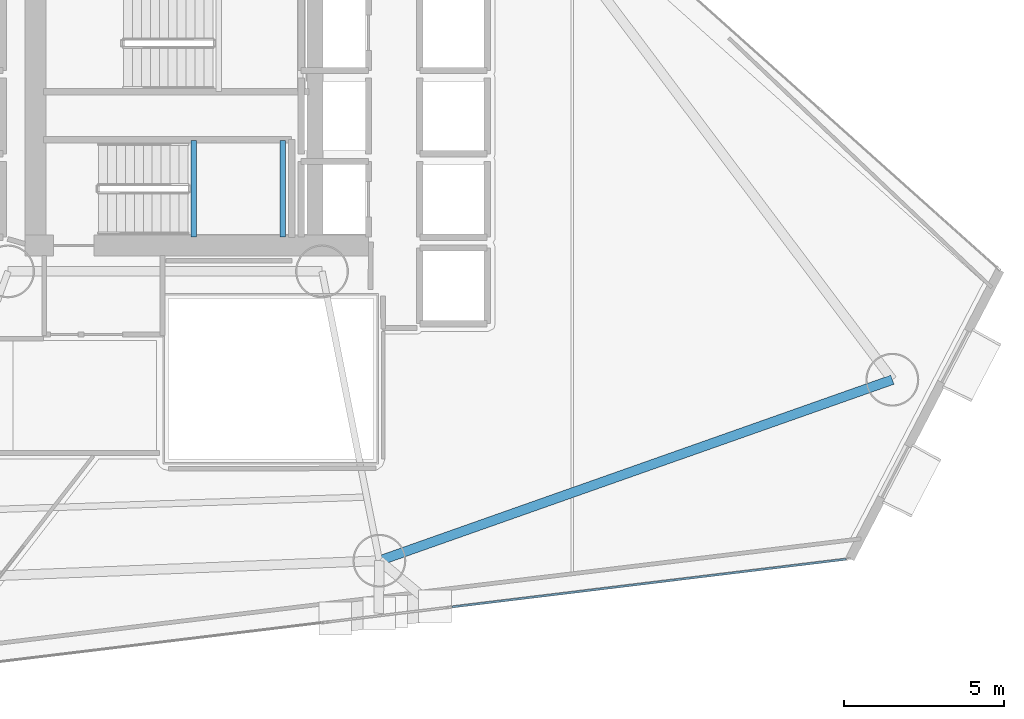
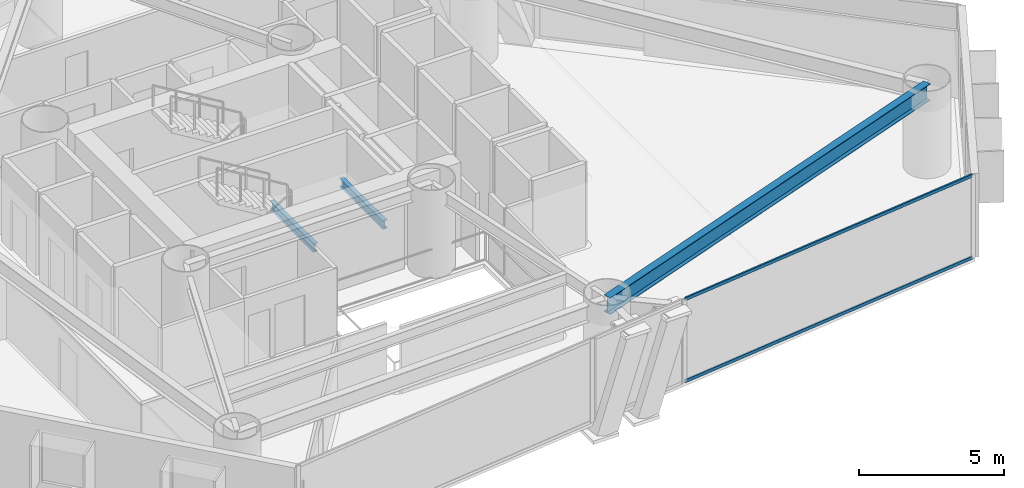
# One storey, part 7 of 24: 3 beams, 2 members, 1 element without a shape of its own.
"""IFC4 building model written with IfcOpenShell, lengths in metres."""

from ifc_helpers import new_model, si_unit, direction, frame, origin, origin_2d, place, context, subcontext, project, spatial, hollow_rectangle, i_section, extrude, material, layer, layer_set, material_profile, profile_set, type_object, element, aggregate, save


model = new_model("IFC4")

# Units and contexts
model_context = context("Model", 3, precision=1e-05, world=origin(), true_north=direction((0.0, 1.0)))
body_context = subcontext(model_context, "Body", "Model", "MODEL_VIEW")
ifc_project = project(units=[si_unit("LENGTHUNIT", "METRE"), si_unit("AREAUNIT", "SQUARE_METRE"), si_unit("VOLUMEUNIT", "CUBIC_METRE"), si_unit("PLANEANGLEUNIT", "RADIAN"), si_unit("MASSUNIT", "GRAM", prefix="KILO")], contexts=[model_context])

# Site, building, storey
site_placement = place(None, origin())
site = spatial("IfcSite", under=ifc_project, at=site_placement, CompositionType="ELEMENT")
building_placement = place(site_placement, origin())
building = spatial("IfcBuilding", under=site, at=building_placement, Name="Qianvela Tower", CompositionType="ELEMENT")
storey_placement = place(building_placement, frame((0.0, 0.0, 71.0)))
storey = spatial("IfcBuildingStorey", under=building, at=storey_placement, Name="L17", CompositionType="ELEMENT", Elevation=71.0)

# Beams
ifc_material_1 = material(Name="Steel Q355B", Category="steel")
ifc_material_profile_1 = material_profile(ifc_material_1, i_section(OverallWidth=0.175048828125, OverallDepth=0.35009765625, WebThickness=0.007080078125, FlangeThickness=0.010986328125, at=origin_2d()), Name="HN350x175x7x11")
ifc_profile_set_1 = profile_set([ifc_material_profile_1], Name="Steel Q355B")
beam_type_1 = type_object("IfcBeamType", Name="BM-HN350-JOIST", PredefinedType="JOIST", material=ifc_profile_set_1)
for number, where, z_axis, x_axis, name in (
    (1, (34.39990234375, 24.919921875, 1.47509765625), (0.0, 1.0, 0.0), (-1.0, 0.0, 0.0), "L17 Stair ST-2 Landing Support Beam 1.1"),
    (2, (37.169921875, 24.919921875, 1.47509765625), (0.0, 1.0, 0.0), (-1.0, 0.0, 0.0), "L17 Stair ST-2 Landing Support Beam 1.2"),
):
    element("IfcBeam", number, at=place(storey_placement, frame(where, z_axis=z_axis, x_axis=x_axis)), inside=storey, type_object=beam_type_1, Name=name, PredefinedType="JOIST", context=body_context, shape_type="SweptSolid", body=[
        extrude(i_section(OverallWidth=0.175048828125, OverallDepth=0.35009765625, WebThickness=0.007080078125, FlangeThickness=0.010986328125, at=origin_2d()), origin(), (0.0, 0.0, 1.0), 3.02001953125),
    ])
ifc_material_2 = material(Name="Steel Q355B", Category="steel")
ifc_material_profile_2 = material_profile(ifc_material_2, i_section(OverallWidth=0.300048828125, OverallDepth=0.699951171875, WebThickness=0.012939453125, FlangeThickness=0.02392578125, at=origin_2d()), Name="HN700x300x13x24")
ifc_profile_set_2 = profile_set([ifc_material_profile_2], Name="Steel Q355B")
beam_type_2 = type_object("IfcBeamType", Name="BM-HN700-SPAND", PredefinedType="SPANDREL", material=ifc_profile_set_2)
beam_placement = place(storey_placement, frame((40.18896484375, 14.819091796875, 3.16796875), z_axis=(0.943021125648, 0.332732860687, 0.0), x_axis=(-0.332732860687, 0.943021125648, 0.0)))
element("IfcBeam", 3, at=beam_placement, inside=storey, type_object=beam_type_2, Name="L17 Perimeter Ring Spandrel Girder 6", PredefinedType="SPANDREL", context=body_context, shape_type="SweptSolid", body=[
    extrude(i_section(OverallWidth=0.300048828125, OverallDepth=0.699951171875, WebThickness=0.012939453125, FlangeThickness=0.02392578125, at=origin_2d()), origin(), (0.0, 0.0, 1.0), 16.977294921875),
])

# Curtain wall, members
ifc_material_3 = material(Name="Anodised Architectural Aluminium and Low-E Glass", Category="aluminium")
ifc_layer = layer(ifc_material_3, 0.179931640625)
ifc_layer_set = layer_set([ifc_layer], Name="Anodised Architectural Aluminium and Low-E Glass")
curtain_wall_type = type_object("IfcCurtainWallType", Name="CW-COLIV-Z12", PredefinedType="USERDEFINED", material=ifc_layer_set)
curtain_wall_placement = place(storey_placement, origin())
curtain_wall = element("IfcCurtainWall", 4, at=curtain_wall_placement, inside=storey, type_object=curtain_wall_type, Name="L17 CW-COLIV-Z12 Curtain Wall 06C", ObjectType="CURTAIN_WALL_SYSTEM", PredefinedType="USERDEFINED")
ifc_material_4 = material(Name="Anodised Architectural Aluminium 6063-T6", Category="aluminium")
ifc_material_profile_3 = material_profile(ifc_material_4, hollow_rectangle(XDim=0.06494140625, YDim=0.1298828125, WallThickness=0.00439453125, at=origin_2d()), Name="ALU-TRAN-65x130")
ifc_profile_set_3 = profile_set([ifc_material_profile_3], Name="Anodised Architectural Aluminium 6063-T6")
member_type = type_object("IfcMemberType", Name="CW-COLIV-Z12-TRAN", PredefinedType="USERDEFINED", material=ifc_profile_set_3)
member_1_placement = place(storey_placement, frame((42.462890625, 13.3779296875, 0.032470703125), z_axis=(0.992729857513, 0.120363740393, 0.0), x_axis=(-0.120363740393, 0.992729857513, 0.0)))
member_1 = element("IfcMember", 5, at=member_1_placement, type_object=member_type, Name="CW-3 transom 1.1", ObjectType="TRANSOM", PredefinedType="USERDEFINED", context=body_context, shape_type="SweptSolid", body=[
    extrude(hollow_rectangle(XDim=0.06494140625, YDim=0.1298828125, WallThickness=0.00439453125, at=origin_2d()), origin(), (0.0, 0.0, 1.0), 12.38720703125),
])
member_2_placement = place(storey_placement, frame((42.462890625, 13.3779296875, 3.487548828125), z_axis=(0.992729857513, 0.120363740393, 0.0), x_axis=(-0.120363740393, 0.992729857513, 0.0)))
member_2 = element("IfcMember", 6, at=member_2_placement, type_object=member_type, Name="CW-3 transom 1.2", ObjectType="TRANSOM", PredefinedType="USERDEFINED", context=body_context, shape_type="SweptSolid", body=[
    extrude(hollow_rectangle(XDim=0.06494140625, YDim=0.1298828125, WallThickness=0.00439453125, at=origin_2d()), origin(), (0.0, 0.0, 1.0), 12.38720703125),
])
aggregate(curtain_wall, [member_1, member_2])

save(model, "model.ifc")
